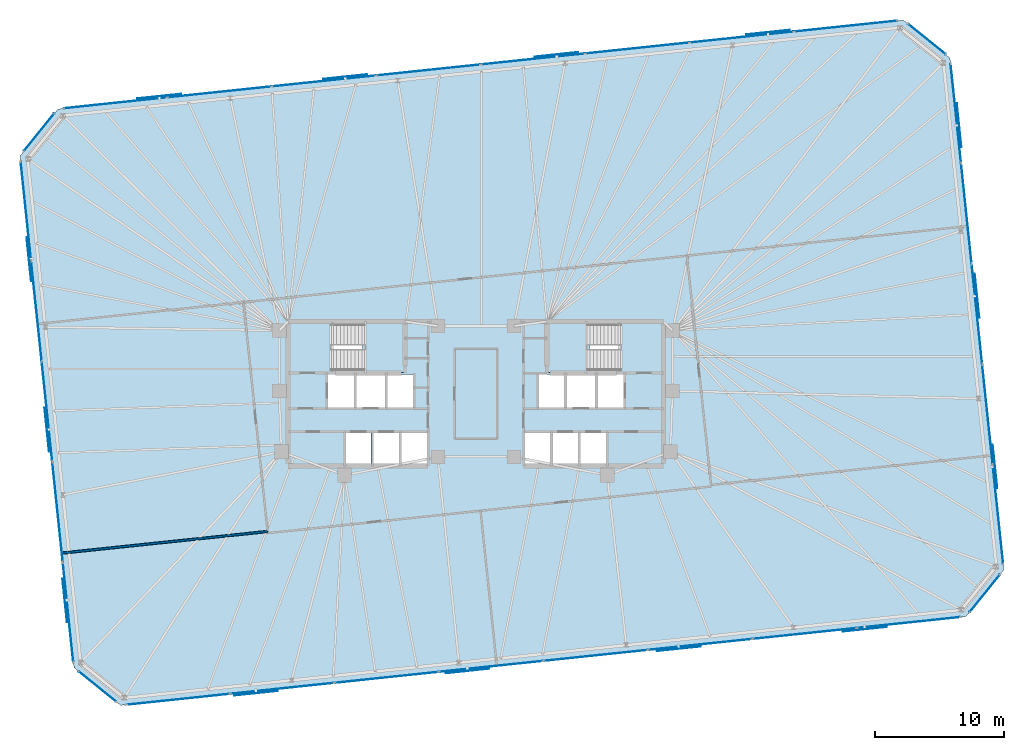
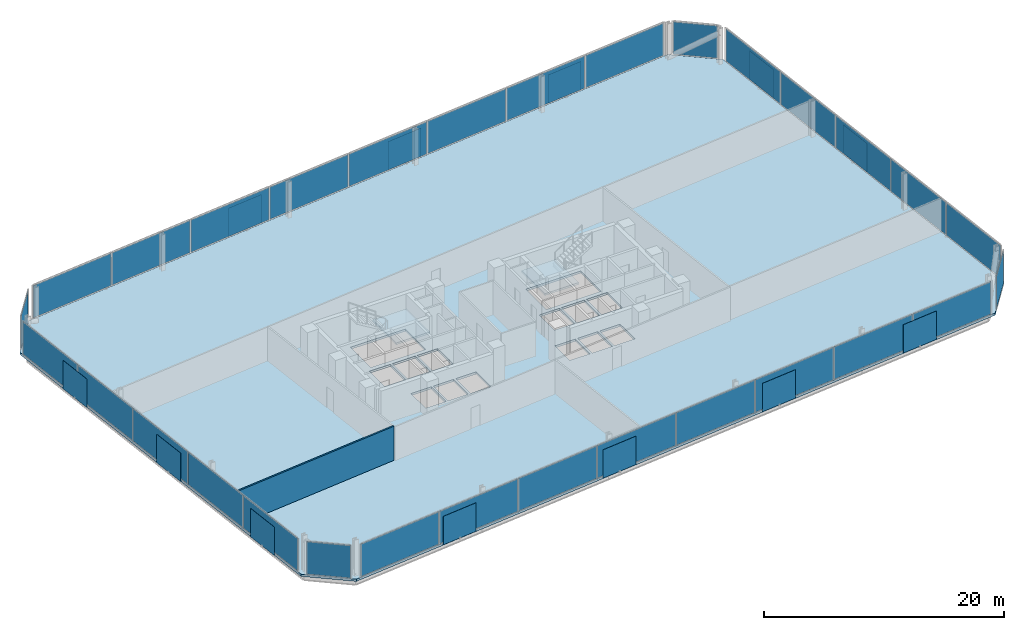
# One storey, part 13 of 17: 44 plates, 3 slabs, 1 wall, 10 elements without a shape of their own.
"""IFC4 building model written with IfcOpenShell, lengths in metres."""

from ifc_helpers import new_model, si_unit, direction, frame, frame_2d, origin, origin_2d, place, context, subcontext, project, spatial, polyline, rectangle, outline, extrude, material, layer, layer_set, type_object, element, aggregate, save


model = new_model("IFC4")

# Units and contexts
model_context = context("Model", 3, precision=1e-05, world=origin(), true_north=direction((0.0, 1.0)))
body_context = subcontext(model_context, "Body", "Model", "MODEL_VIEW")
ifc_project = project(units=[si_unit("LENGTHUNIT", "METRE"), si_unit("AREAUNIT", "SQUARE_METRE"), si_unit("VOLUMEUNIT", "CUBIC_METRE"), si_unit("PLANEANGLEUNIT", "RADIAN"), si_unit("MASSUNIT", "GRAM", prefix="KILO")], contexts=[model_context])

# Site, building, storey
site_placement = place(None, origin())
site = spatial("IfcSite", under=ifc_project, at=site_placement, CompositionType="ELEMENT")
building_placement = place(site_placement, origin())
building = spatial("IfcBuilding", under=site, at=building_placement, Name="Menara Jurai Vektor", CompositionType="ELEMENT")
storey_placement = place(building_placement, frame((0.0, 0.0, 131.800048828125)))
storey = spatial("IfcBuildingStorey", under=building, at=storey_placement, Name="L33", CompositionType="ELEMENT", Elevation=131.800048828125)

# Curtain wall, plates
ifc_material_1 = material(Name="Anodised Pale Aluminium & Low-E Double Glazing", Category="aluminium")
curtain_wall_type = type_object("IfcCurtainWallType", Name="CW-BLK2", PredefinedType="NOTDEFINED", material=ifc_material_1)
curtain_wall_1_placement = place(storey_placement, origin())
curtain_wall_1 = element("IfcCurtainWall", 1, at=curtain_wall_1_placement, inside=storey, type_object=curtain_wall_type, Name="Unitised Curtain Wall L33 F01", PredefinedType="NOTDEFINED")
ifc_material_2 = material(Name="Low-E Solar-Control Double Glazed Unit", Category="glass")
ifc_layer_1 = layer(ifc_material_2, 0.033935546875)
ifc_layer_set_1 = layer_set([ifc_layer_1], Name="Low-E Solar-Control Double Glazed Unit")
plate_type_1 = type_object("IfcPlateType", Name="CW-BLK2-PNL", PredefinedType="CURTAIN_PANEL", material=ifc_layer_set_1)
plate_1_placement = place(storey_placement, frame((-23.090087890625, -23.69921875, 0.090087890625), z_axis=(0.0, 0.0, 1.0), x_axis=(0.994521877325, 0.104528634935, 0.0)))
plate_1 = element("IfcPlate", 2, at=plate_1_placement, type_object=plate_type_1, Name="CW-02 panel 1.1", PredefinedType="CURTAIN_PANEL", context=body_context, shape_type="SweptSolid", body=[
    extrude(rectangle(XDim=8.007568359375, YDim=0.033935546875, at=origin_2d()), origin(), (0.0, 0.0, 1.0), 3.294921875),
])
plate_2_placement = place(storey_placement, frame((-15.014404296875, -22.850341796875, 0.090087890625), z_axis=(0.0, 0.0, 1.0), x_axis=(0.994521877325, 0.104528634935, 0.0)))
plate_2 = element("IfcPlate", 3, at=plate_2_placement, type_object=plate_type_1, Name="CW-02 panel 2.1", PredefinedType="CURTAIN_PANEL", context=body_context, shape_type="SweptSolid", body=[
    extrude(rectangle(XDim=8.052490234375, YDim=0.033935546875, at=origin_2d()), origin(), (0.0, 0.0, 1.0), 3.294921875),
])
plate_3_placement = place(storey_placement, frame((-6.91650390625, -21.999267578125, 0.090087890625), z_axis=(0.0, 0.0, 1.0), x_axis=(0.994521877325, 0.104528634935, 0.0)))
plate_3 = element("IfcPlate", 4, at=plate_3_placement, type_object=plate_type_1, Name="CW-02 panel 3.1", PredefinedType="CURTAIN_PANEL", context=body_context, shape_type="SweptSolid", body=[
    extrude(rectangle(XDim=8.052490234375, YDim=0.033935546875, at=origin_2d()), origin(), (0.0, 0.0, 1.0), 3.294921875),
])
plate_4_placement = place(storey_placement, frame((1.181396484375, -21.148193359375, 0.090087890625), z_axis=(0.0, 0.0, 1.0), x_axis=(0.994521877325, 0.104528634935, 0.0)))
plate_4 = element("IfcPlate", 5, at=plate_4_placement, type_object=plate_type_1, Name="CW-02 panel 4.1", PredefinedType="CURTAIN_PANEL", context=body_context, shape_type="SweptSolid", body=[
    extrude(rectangle(XDim=8.052490234375, YDim=0.033935546875, at=origin_2d()), origin(), (0.0, 0.0, 1.0), 3.294921875),
])
plate_5_placement = place(storey_placement, frame((9.279296875, -20.297119140625, 0.090087890625), z_axis=(0.0, 0.0, 1.0), x_axis=(0.994521877325, 0.104528634935, 0.0)))
plate_5 = element("IfcPlate", 6, at=plate_5_placement, type_object=plate_type_1, Name="CW-02 panel 5.1", PredefinedType="CURTAIN_PANEL", context=body_context, shape_type="SweptSolid", body=[
    extrude(rectangle(XDim=8.052490234375, YDim=0.033935546875, at=origin_2d()), origin(), (0.0, 0.0, 1.0), 3.294921875),
])
plate_6_placement = place(storey_placement, frame((17.377197265625, -19.44580078125, 0.090087890625), z_axis=(0.0, 0.0, 1.0), x_axis=(0.994521877325, 0.104528634935, 0.0)))
plate_6 = element("IfcPlate", 7, at=plate_6_placement, type_object=plate_type_1, Name="CW-02 panel 6.1", PredefinedType="CURTAIN_PANEL", context=body_context, shape_type="SweptSolid", body=[
    extrude(rectangle(XDim=8.052490234375, YDim=0.033935546875, at=origin_2d()), origin(), (0.0, 0.0, 1.0), 3.294921875),
])
plate_7_placement = place(storey_placement, frame((25.47509765625, -18.5947265625, 0.090087890625), z_axis=(0.0, 0.0, 1.0), x_axis=(0.994521877325, 0.104528634935, 0.0)))
plate_7 = element("IfcPlate", 8, at=plate_7_placement, type_object=plate_type_1, Name="CW-02 panel 7.1", PredefinedType="CURTAIN_PANEL", context=body_context, shape_type="SweptSolid", body=[
    extrude(rectangle(XDim=8.052490234375, YDim=0.033935546875, at=origin_2d()), origin(), (0.0, 0.0, 1.0), 3.294921875),
])
plate_8_placement = place(storey_placement, frame((33.550537109375, -17.74609375, 0.090087890625), z_axis=(0.0, 0.0, 1.0), x_axis=(0.994521877325, 0.104528634935, 0.0)))
plate_8 = element("IfcPlate", 9, at=plate_8_placement, type_object=plate_type_1, Name="CW-02 panel 8.1", PredefinedType="CURTAIN_PANEL", context=body_context, shape_type="SweptSolid", body=[
    extrude(rectangle(XDim=8.007568359375, YDim=0.033935546875, at=origin_2d()), origin(), (0.0, 0.0, 1.0), 3.294921875),
])
aggregate(curtain_wall_1, [plate_1, plate_2, plate_3, plate_4, plate_5, plate_6, plate_7, plate_8])

curtain_wall_2_placement = place(storey_placement, origin())
curtain_wall_2 = element("IfcCurtainWall", 10, at=curtain_wall_2_placement, inside=storey, type_object=curtain_wall_type, Name="Unitised Curtain Wall L33 F03", PredefinedType="NOTDEFINED")
plate_9_placement = place(storey_placement, frame((40.485595703125, -9.358642578125, 0.090087890625), z_axis=(0.0, 0.0, 1.0), x_axis=(-0.104529576902, 0.99452177832, 0.0)))
plate_9 = element("IfcPlate", 11, at=plate_9_placement, type_object=plate_type_1, Name="CW-02 panel 1.1", PredefinedType="CURTAIN_PANEL", context=body_context, shape_type="SweptSolid", body=[
    extrude(rectangle(XDim=7.693115234375, YDim=0.033935546875, at=origin_2d()), origin(), (0.0, 0.0, 1.0), 3.294921875),
])
plate_10_placement = place(storey_placement, frame((39.669677734375, -1.595947265625, 0.090087890625), z_axis=(0.0, 0.0, 1.0), x_axis=(-0.104529576902, 0.99452177832, 0.0)))
plate_10 = element("IfcPlate", 12, at=plate_10_placement, type_object=plate_type_1, Name="CW-02 panel 2.1", PredefinedType="CURTAIN_PANEL", context=body_context, shape_type="SweptSolid", body=[
    extrude(rectangle(XDim=7.738037109375, YDim=0.033935546875, at=origin_2d()), origin(), (0.0, 0.0, 1.0), 3.294921875),
])
plate_11_placement = place(storey_placement, frame((38.8515625, 6.189208984375, 0.090087890625), z_axis=(0.0, 0.0, 1.0), x_axis=(-0.104529576902, 0.99452177832, 0.0)))
plate_11 = element("IfcPlate", 13, at=plate_11_placement, type_object=plate_type_1, Name="CW-02 panel 3.1", PredefinedType="CURTAIN_PANEL", context=body_context, shape_type="SweptSolid", body=[
    extrude(rectangle(XDim=7.738037109375, YDim=0.033935546875, at=origin_2d()), origin(), (0.0, 0.0, 1.0), 3.294921875),
])
plate_12_placement = place(storey_placement, frame((38.033203125, 13.974365234375, 0.090087890625), z_axis=(0.0, 0.0, 1.0), x_axis=(-0.104529576902, 0.99452177832, 0.0)))
plate_12 = element("IfcPlate", 14, at=plate_12_placement, type_object=plate_type_1, Name="CW-02 panel 4.1", PredefinedType="CURTAIN_PANEL", context=body_context, shape_type="SweptSolid", body=[
    extrude(rectangle(XDim=7.738037109375, YDim=0.033935546875, at=origin_2d()), origin(), (0.0, 0.0, 1.0), 3.294921875),
])
plate_13_placement = place(storey_placement, frame((37.21728515625, 21.737060546875, 0.090087890625), z_axis=(0.0, 0.0, 1.0), x_axis=(-0.104529576902, 0.99452177832, 0.0)))
plate_13 = element("IfcPlate", 15, at=plate_13_placement, type_object=plate_type_1, Name="CW-02 panel 5.1", PredefinedType="CURTAIN_PANEL", context=body_context, shape_type="SweptSolid", body=[
    extrude(rectangle(XDim=7.693115234375, YDim=0.033935546875, at=origin_2d()), origin(), (0.0, 0.0, 1.0), 3.294921875),
])
aggregate(curtain_wall_2, [plate_9, plate_10, plate_11, plate_12, plate_13])

curtain_wall_3_placement = place(storey_placement, origin())
curtain_wall_3 = element("IfcCurtainWall", 16, at=curtain_wall_3_placement, inside=storey, type_object=curtain_wall_type, Name="Unitised Curtain Wall L33 F05", PredefinedType="NOTDEFINED")
plate_14_placement = place(storey_placement, frame((28.68994140625, 28.499267578125, 0.090087890625), z_axis=(0.0, 0.0, 1.0), x_axis=(-0.994521877325, -0.104528634935, 0.0)))
plate_14 = element("IfcPlate", 17, at=plate_14_placement, type_object=plate_type_1, Name="CW-02 panel 1.1", PredefinedType="CURTAIN_PANEL", context=body_context, shape_type="SweptSolid", body=[
    extrude(rectangle(XDim=8.007568359375, YDim=0.033935546875, at=origin_2d()), origin(), (0.0, 0.0, 1.0), 3.294921875),
])
plate_15_placement = place(storey_placement, frame((20.614501953125, 27.650390625, 0.090087890625), z_axis=(0.0, 0.0, 1.0), x_axis=(-0.994521877325, -0.104528634935, 0.0)))
plate_15 = element("IfcPlate", 18, at=plate_15_placement, type_object=plate_type_1, Name="CW-02 panel 2.1", PredefinedType="CURTAIN_PANEL", context=body_context, shape_type="SweptSolid", body=[
    extrude(rectangle(XDim=8.052490234375, YDim=0.033935546875, at=origin_2d()), origin(), (0.0, 0.0, 1.0), 3.294921875),
])
plate_16_placement = place(storey_placement, frame((12.5166015625, 26.79931640625, 0.090087890625), z_axis=(0.0, 0.0, 1.0), x_axis=(-0.994521877325, -0.104528634935, 0.0)))
plate_16 = element("IfcPlate", 19, at=plate_16_placement, type_object=plate_type_1, Name="CW-02 panel 3.1", PredefinedType="CURTAIN_PANEL", context=body_context, shape_type="SweptSolid", body=[
    extrude(rectangle(XDim=8.052490234375, YDim=0.033935546875, at=origin_2d()), origin(), (0.0, 0.0, 1.0), 3.294921875),
])
plate_17_placement = place(storey_placement, frame((4.418701171875, 25.9482421875, 0.090087890625), z_axis=(0.0, 0.0, 1.0), x_axis=(-0.994521877325, -0.104528634935, 0.0)))
plate_17 = element("IfcPlate", 20, at=plate_17_placement, type_object=plate_type_1, Name="CW-02 panel 4.1", PredefinedType="CURTAIN_PANEL", context=body_context, shape_type="SweptSolid", body=[
    extrude(rectangle(XDim=8.052490234375, YDim=0.033935546875, at=origin_2d()), origin(), (0.0, 0.0, 1.0), 3.294921875),
])
plate_18_placement = place(storey_placement, frame((-3.67919921875, 25.096923828125, 0.090087890625), z_axis=(0.0, 0.0, 1.0), x_axis=(-0.994521877325, -0.104528634935, 0.0)))
plate_18 = element("IfcPlate", 21, at=plate_18_placement, type_object=plate_type_1, Name="CW-02 panel 5.1", PredefinedType="CURTAIN_PANEL", context=body_context, shape_type="SweptSolid", body=[
    extrude(rectangle(XDim=8.052490234375, YDim=0.033935546875, at=origin_2d()), origin(), (0.0, 0.0, 1.0), 3.294921875),
])
plate_19_placement = place(storey_placement, frame((-11.777099609375, 24.245849609375, 0.090087890625), z_axis=(0.0, 0.0, 1.0), x_axis=(-0.994521877325, -0.104528634935, 0.0)))
plate_19 = element("IfcPlate", 22, at=plate_19_placement, type_object=plate_type_1, Name="CW-02 panel 6.1", PredefinedType="CURTAIN_PANEL", context=body_context, shape_type="SweptSolid", body=[
    extrude(rectangle(XDim=8.052490234375, YDim=0.033935546875, at=origin_2d()), origin(), (0.0, 0.0, 1.0), 3.294921875),
])
plate_20_placement = place(storey_placement, frame((-19.875, 23.394775390625, 0.090087890625), z_axis=(0.0, 0.0, 1.0), x_axis=(-0.994521877325, -0.104528634935, 0.0)))
plate_20 = element("IfcPlate", 23, at=plate_20_placement, type_object=plate_type_1, Name="CW-02 panel 7.1", PredefinedType="CURTAIN_PANEL", context=body_context, shape_type="SweptSolid", body=[
    extrude(rectangle(XDim=8.052490234375, YDim=0.033935546875, at=origin_2d()), origin(), (0.0, 0.0, 1.0), 3.294921875),
])
plate_21_placement = place(storey_placement, frame((-27.95068359375, 22.5458984375, 0.090087890625), z_axis=(0.0, 0.0, 1.0), x_axis=(-0.994521877325, -0.104528634935, 0.0)))
plate_21 = element("IfcPlate", 24, at=plate_21_placement, type_object=plate_type_1, Name="CW-02 panel 8.1", PredefinedType="CURTAIN_PANEL", context=body_context, shape_type="SweptSolid", body=[
    extrude(rectangle(XDim=8.007568359375, YDim=0.033935546875, at=origin_2d()), origin(), (0.0, 0.0, 1.0), 3.294921875),
])
aggregate(curtain_wall_3, [plate_14, plate_15, plate_16, plate_17, plate_18, plate_19, plate_20, plate_21])

curtain_wall_4_placement = place(storey_placement, origin())
curtain_wall_4 = element("IfcCurtainWall", 25, at=curtain_wall_4_placement, inside=storey, type_object=curtain_wall_type, Name="Unitised Curtain Wall L33 F07", PredefinedType="NOTDEFINED")
plate_22_placement = place(storey_placement, frame((-34.885498046875, 14.15869140625, 0.090087890625), z_axis=(0.0, 0.0, 1.0), x_axis=(0.104529576902, -0.99452177832, 0.0)))
plate_22 = element("IfcPlate", 26, at=plate_22_placement, type_object=plate_type_1, Name="CW-02 panel 1.1", PredefinedType="CURTAIN_PANEL", context=body_context, shape_type="SweptSolid", body=[
    extrude(rectangle(XDim=7.693115234375, YDim=0.033935546875, at=origin_2d()), origin(), (0.0, 0.0, 1.0), 3.294921875),
])
plate_23_placement = place(storey_placement, frame((-34.06982421875, 6.39599609375, 0.090087890625), z_axis=(0.0, 0.0, 1.0), x_axis=(0.104529576902, -0.99452177832, 0.0)))
plate_23 = element("IfcPlate", 27, at=plate_23_placement, type_object=plate_type_1, Name="CW-02 panel 2.1", PredefinedType="CURTAIN_PANEL", context=body_context, shape_type="SweptSolid", body=[
    extrude(rectangle(XDim=7.738037109375, YDim=0.033935546875, at=origin_2d()), origin(), (0.0, 0.0, 1.0), 3.294921875),
])
plate_24_placement = place(storey_placement, frame((-33.25146484375, -1.38916015625, 0.090087890625), z_axis=(0.0, 0.0, 1.0), x_axis=(0.104529576902, -0.99452177832, 0.0)))
plate_24 = element("IfcPlate", 28, at=plate_24_placement, type_object=plate_type_1, Name="CW-02 panel 3.1", PredefinedType="CURTAIN_PANEL", context=body_context, shape_type="SweptSolid", body=[
    extrude(rectangle(XDim=7.738037109375, YDim=0.033935546875, at=origin_2d()), origin(), (0.0, 0.0, 1.0), 3.294921875),
])
plate_25_placement = place(storey_placement, frame((-32.43310546875, -9.17431640625, 0.090087890625), z_axis=(0.0, 0.0, 1.0), x_axis=(0.104529576902, -0.99452177832, 0.0)))
plate_25 = element("IfcPlate", 29, at=plate_25_placement, type_object=plate_type_1, Name="CW-02 panel 4.1", PredefinedType="CURTAIN_PANEL", context=body_context, shape_type="SweptSolid", body=[
    extrude(rectangle(XDim=7.738037109375, YDim=0.033935546875, at=origin_2d()), origin(), (0.0, 0.0, 1.0), 3.294921875),
])
plate_26_placement = place(storey_placement, frame((-31.6171875, -16.93701171875, 0.090087890625), z_axis=(0.0, 0.0, 1.0), x_axis=(0.104529576902, -0.99452177832, 0.0)))
plate_26 = element("IfcPlate", 30, at=plate_26_placement, type_object=plate_type_1, Name="CW-02 panel 5.1", PredefinedType="CURTAIN_PANEL", context=body_context, shape_type="SweptSolid", body=[
    extrude(rectangle(XDim=7.693115234375, YDim=0.033935546875, at=origin_2d()), origin(), (0.0, 0.0, 1.0), 3.294921875),
])
aggregate(curtain_wall_4, [plate_22, plate_23, plate_24, plate_25, plate_26])

# Curtain wall, plate
curtain_wall_5_placement = place(storey_placement, origin())
curtain_wall_5 = element("IfcCurtainWall", 31, at=curtain_wall_5_placement, inside=storey, type_object=curtain_wall_type, Name="Unitised Curtain Wall L33 F02", PredefinedType="NOTDEFINED")
ifc_material_3 = material(Name="Insulated Pale Aluminium Spandrel Panel", Category="aluminium")
ifc_layer_2 = layer(ifc_material_3, 0.06005859375)
ifc_layer_set_2 = layer_set([ifc_layer_2], Name="Insulated Pale Aluminium Spandrel Panel")
plate_type_2 = type_object("IfcPlateType", Name="CW-PNL-SP", PredefinedType="CURTAIN_PANEL", material=ifc_layer_set_2)
plate_27_placement = place(storey_placement, frame((39.46826171875, -15.465087890625, 0.090087890625), z_axis=(0.0, 0.0, 1.0), x_axis=(0.62934106172, 0.777129222223, 0.0)))
plate_27 = element("IfcPlate", 32, at=plate_27_placement, type_object=plate_type_2, Name="CW-02 panel 1.1", PredefinedType="CURTAIN_PANEL", context=body_context, shape_type="SweptSolid", body=[
    extrude(rectangle(XDim=3.72705078125, YDim=0.06005859375, at=origin_2d()), origin(), (0.0, 0.0, 1.0), 3.294921875),
])
aggregate(curtain_wall_5, [plate_27])

curtain_wall_6_placement = place(storey_placement, origin())
curtain_wall_6 = element("IfcCurtainWall", 33, at=curtain_wall_6_placement, inside=storey, type_object=curtain_wall_type, Name="Unitised Curtain Wall L33 F04", PredefinedType="NOTDEFINED")
plate_28_placement = place(storey_placement, frame((34.95263671875, 27.498291015625, 0.090087890625), z_axis=(0.0, 0.0, 1.0), x_axis=(-0.777151877437, 0.629313085353, 0.0)))
plate_28 = element("IfcPlate", 34, at=plate_28_placement, type_object=plate_type_2, Name="CW-02 panel 1.1", PredefinedType="CURTAIN_PANEL", context=body_context, shape_type="SweptSolid", body=[
    extrude(rectangle(XDim=3.72705078125, YDim=0.06005859375, at=origin_2d()), origin(), (0.0, 0.0, 1.0), 3.294921875),
])
aggregate(curtain_wall_6, [plate_28])

curtain_wall_7_placement = place(storey_placement, origin())
curtain_wall_7 = element("IfcCurtainWall", 35, at=curtain_wall_7_placement, inside=storey, type_object=curtain_wall_type, Name="Unitised Curtain Wall L33 F06", PredefinedType="NOTDEFINED")
plate_29_placement = place(storey_placement, frame((-33.868408203125, 20.264892578125, 0.090087890625), z_axis=(0.0, 0.0, 1.0), x_axis=(-0.62934106172, -0.777129222223, 0.0)))
plate_29 = element("IfcPlate", 36, at=plate_29_placement, type_object=plate_type_2, Name="CW-02 panel 1.1", PredefinedType="CURTAIN_PANEL", context=body_context, shape_type="SweptSolid", body=[
    extrude(rectangle(XDim=3.72705078125, YDim=0.06005859375, at=origin_2d()), origin(), (0.0, 0.0, 1.0), 3.294921875),
])
aggregate(curtain_wall_7, [plate_29])

curtain_wall_8_placement = place(storey_placement, origin())
curtain_wall_8 = element("IfcCurtainWall", 37, at=curtain_wall_8_placement, inside=storey, type_object=curtain_wall_type, Name="Unitised Curtain Wall L33 F08", PredefinedType="NOTDEFINED")
plate_30_placement = place(storey_placement, frame((-29.3525390625, -22.6982421875, 0.090087890625), z_axis=(0.0, 0.0, 1.0), x_axis=(0.777151877437, -0.629313085353, 0.0)))
plate_30 = element("IfcPlate", 38, at=plate_30_placement, type_object=plate_type_2, Name="CW-02 panel 1.1", PredefinedType="CURTAIN_PANEL", context=body_context, shape_type="SweptSolid", body=[
    extrude(rectangle(XDim=3.72705078125, YDim=0.06005859375, at=origin_2d()), origin(), (0.0, 0.0, 1.0), 3.294921875),
])
aggregate(curtain_wall_8, [plate_30])

# Plates
ifc_material_4 = material(Name="Anodised Pale Aluminium Perforated Screen", Category="aluminium")
ifc_layer_3 = layer(ifc_material_4, 0.02392578125)
ifc_layer_set_3 = layer_set([ifc_layer_3], Name="Anodised Pale Aluminium Perforated Screen")
plate_type_3 = type_object("IfcPlateType", Name="ENV-PLT-SCREEN", PredefinedType="USERDEFINED", material=ifc_layer_set_3)
for number, where, z_axis, x_axis, name in (
    (39, (-17.0361328125, -23.223876953125, -0.050048828125), (0.0, 0.0, 1.0), (0.994521895368, 0.104528463268, 0.0), "Perforated Pale-Metal Solar Screen L33-S01"),
    (40, (-0.651611328125, -21.501708984375, -0.050048828125), (0.0, 0.0, 1.0), (0.994521895368, 0.104528463268, 0.0), "Perforated Pale-Metal Solar Screen L33-S02"),
    (41, (15.7333984375, -19.779541015625, -0.050048828125), (0.0, 0.0, 1.0), (0.994521895368, 0.104528463268, 0.0), "Perforated Pale-Metal Solar Screen L33-S03"),
    (42, (30.15185546875, -18.26416015625, -0.050048828125), (0.0, 0.0, 1.0), (0.994521895368, 0.104528463268, 0.0), "Perforated Pale-Metal Solar Screen L33-S04"),
    (43, (40.2548828125, -5.63232421875, -0.050048828125), (0.0, 0.0, 1.0), (-0.104528463268, 0.994521895368, 0.0), "Perforated Pale-Metal Solar Screen L33-S05"),
    (44, (38.864501953125, 7.5947265625, -0.050048828125), (0.0, 0.0, 1.0), (-0.104528463268, 0.994521895368, 0.0), "Perforated Pale-Metal Solar Screen L33-S06"),
    (45, (37.474365234375, 20.822021484375, -0.050048828125), (0.0, 0.0, 1.0), (-0.104528463268, 0.994521895368, 0.0), "Perforated Pale-Metal Solar Screen L33-S07"),
    (46, (22.63623046875, 28.023681640625, -0.050048828125), (0.0, 0.0, 1.0), (-0.994521895368, -0.104528463268, 0.0), "Perforated Pale-Metal Solar Screen L33-S08"),
    (47, (6.25146484375, 26.3017578125, -0.050048828125), (0.0, 0.0, 1.0), (-0.994521895368, -0.104528463268, 0.0), "Perforated Pale-Metal Solar Screen L33-S09"),
    (48, (-10.13330078125, 24.57958984375, -0.050048828125), (0.0, 0.0, 1.0), (-0.994521895368, -0.104528463268, 0.0), "Perforated Pale-Metal Solar Screen L33-S10"),
    (49, (-24.5517578125, 23.064208984375, -0.050048828125), (0.0, 0.0, 1.0), (-0.994521895368, -0.104528463268, 0.0), "Perforated Pale-Metal Solar Screen L33-S11"),
    (50, (-34.65478515625, 10.432373046875, -0.050048828125), (0.0, 0.0, 1.0), (0.104528463268, -0.994521895368, 0.0), "Perforated Pale-Metal Solar Screen L33-S12"),
    (51, (-33.2646484375, -2.794677734375, -0.050048828125), (0.0, 0.0, 1.0), (0.104528463268, -0.994521895368, 0.0), "Perforated Pale-Metal Solar Screen L33-S13"),
    (52, (-31.87451171875, -16.02197265625, -0.050048828125), (0.0, 0.0, 1.0), (0.104528463268, -0.994521895368, 0.0), "Perforated Pale-Metal Solar Screen L33-S14"),
):
    element("IfcPlate", number, at=place(storey_placement, frame(where, z_axis=z_axis, x_axis=x_axis)), inside=storey, type_object=plate_type_3, Name=name, ObjectType="SCREEN", PredefinedType="USERDEFINED", context=body_context, shape_type="SweptSolid", body=[
        extrude(rectangle(XDim=3.39990234375, YDim=0.02392578125, at=origin_2d()), origin(), (0.0, 0.0, 1.0), 2.89990234375),
    ])

# Stair, slab
ifc_material_5 = material(Name="Concrete C40/50", Category="concrete")
stair_type = type_object("IfcStairType", Name="STAIR-DOGLEG-1500", PredefinedType="HALF_TURN_STAIR", material=ifc_material_5)
stair_1_placement = place(storey_placement, origin())
stair_1 = element("IfcStair", 53, at=stair_1_placement, inside=storey, type_object=stair_type, Name="Protected Exit Stair ST1 L33", PredefinedType="HALF_TURN_STAIR")
ifc_layer_4 = layer(ifc_material_5, 0.199951171875)
ifc_layer_set_4 = layer_set([ifc_layer_4], Name="Concrete C40/50")
slab_type_1 = type_object("IfcSlabType", Name="STAIR-LANDING-200", PredefinedType="LANDING", material=ifc_layer_set_4)
slab_1_placement = place(storey_placement, frame((0.0, 0.0, 1.64990234375)))
slab_1 = element("IfcSlab", 54, at=slab_1_placement, type_object=slab_type_1, Name="ST1 landing 1", PredefinedType="LANDING", context=body_context, shape_type="SweptSolid", body=[
    extrude(outline(polyline([(-8.800048828125, 1.64990234375), (-5.550048828125, 1.64990234375), (-5.550048828125, 5.550048828125), (-8.800048828125, 5.550048828125), (-8.800048828125, 1.64990234375)])), origin(), (0.0, 0.0, 1.0), 0.199951171875),
])
aggregate(stair_1, [slab_1])

stair_2_placement = place(storey_placement, origin())
stair_2 = element("IfcStair", 55, at=stair_2_placement, inside=storey, type_object=stair_type, Name="Protected Exit Stair ST2 L33", PredefinedType="HALF_TURN_STAIR")
slab_2_placement = place(storey_placement, frame((0.0, 0.0, 1.64990234375)))
slab_2 = element("IfcSlab", 56, at=slab_2_placement, type_object=slab_type_1, Name="ST2 landing 1", PredefinedType="LANDING", context=body_context, shape_type="SweptSolid", body=[
    extrude(outline(polyline([(5.550048828125, 1.64990234375), (8.800048828125, 1.64990234375), (8.800048828125, 5.550048828125), (5.550048828125, 5.550048828125), (5.550048828125, 1.64990234375)])), origin(), (0.0, 0.0, 1.0), 0.199951171875),
])
aggregate(stair_2, [slab_2])

# Slab
ifc_layer_5 = layer(ifc_material_5, 0.22509765625)
ifc_layer_set_5 = layer_set([ifc_layer_5], Name="Concrete C40/50")
slab_type_2 = type_object("IfcSlabType", Name="STR-SLAB-TYP200", PredefinedType="FLOOR", material=ifc_layer_set_5)
slab_3_placement = place(storey_placement, frame((0.0, 0.0, -0.22509765625)))
element("IfcSlab", 57, at=slab_3_placement, inside=storey, type_object=slab_type_2, Name="Composite Floor Slab L33", PredefinedType="FLOOR", context=body_context, shape_type="SweptSolid", body=[
    extrude(outline(polyline([(-27.539306640625, -24.166748046875), (37.999755859375, -17.2783203125), (40.936767578125, -13.651611328125), (36.76611328125, 26.02978515625), (33.13916015625, 28.966796875), (-32.39990234375, 22.078369140625), (-35.3369140625, 18.45166015625), (-31.166015625, -21.22998046875), (-27.539306640625, -24.166748046875)]), holes=[polyline([(-11.10009765625, 1.89990234375), (-11.10009765625, 5.300048828125), (-5.800048828125, 5.300048828125), (-5.800048828125, 1.89990234375), (-11.10009765625, 1.89990234375)]), polyline([(5.800048828125, 1.89990234375), (5.800048828125, 5.300048828125), (11.10009765625, 5.300048828125), (11.10009765625, 1.89990234375), (5.800048828125, 1.89990234375)]), polyline([(-11.449951171875, -1.050048828125), (-11.449951171875, 1.5), (-9.449951171875, 1.5), (-9.449951171875, -1.050048828125), (-11.449951171875, -1.050048828125)]), polyline([(9.449951171875, -1.050048828125), (9.449951171875, 1.5), (11.449951171875, 1.5), (11.449951171875, -1.050048828125), (9.449951171875, -1.050048828125)]), polyline([(-5.760009765625, -5.5), (-5.760009765625, -3.050048828125), (-3.800048828125, -3.050048828125), (-3.800048828125, -5.5), (-5.760009765625, -5.5)]), polyline([(-6.85009765625, -1.050048828125), (-6.85009765625, 1.5), (-4.889892578125, 1.5), (-4.889892578125, -1.050048828125), (-6.85009765625, -1.050048828125)]), polyline([(3.800048828125, -5.5), (3.800048828125, -3.050048828125), (5.760009765625, -3.050048828125), (5.760009765625, -5.5), (3.800048828125, -5.5)]), polyline([(4.889892578125, -1.050048828125), (4.889892578125, 1.5), (6.85009765625, 1.5), (6.85009765625, -1.050048828125), (4.889892578125, -1.050048828125)]), polyline([(-10.080078125, -5.5), (-10.080078125, -3.050048828125), (-8.1201171875, -3.050048828125), (-8.1201171875, -5.5), (-10.080078125, -5.5)]), polyline([(-7.919921875, -5.5), (-7.919921875, -3.050048828125), (-5.9599609375, -3.050048828125), (-5.9599609375, -5.5), (-7.919921875, -5.5)]), polyline([(5.9599609375, -5.5), (5.9599609375, -3.050048828125), (7.919921875, -3.050048828125), (7.919921875, -5.5), (5.9599609375, -5.5)]), polyline([(8.1201171875, -5.5), (8.1201171875, -3.050048828125), (10.080078125, -3.050048828125), (10.080078125, -5.5), (8.1201171875, -5.5)]), polyline([(-9.25, -1.050048828125), (-9.25, 1.5), (-7.050048828125, 1.5), (-7.050048828125, -1.050048828125), (-9.25, -1.050048828125)]), polyline([(7.050048828125, -1.050048828125), (7.050048828125, 1.5), (9.25, 1.5), (9.25, -1.050048828125), (7.050048828125, -1.050048828125)])]), origin(), (0.0, 0.0, 1.0), 0.22509765625),
])

# Wall
ifc_material_6 = material(Name="Gypsum Fireboard Partition", Category="gypsum")
ifc_layer_6 = layer(ifc_material_6, 0.14990234375)
ifc_layer_set_6 = layer_set([ifc_layer_6], Name="Gypsum Fireboard Partition")
wall_type = type_object("IfcWallType", Name="INT-WALL-CORR-150", PredefinedType="PARTITIONING", material=ifc_layer_set_6)
wall_placement = place(storey_placement, frame((-32.0986328125, -12.357666015625, 0.0), z_axis=(0.0, 0.0, 1.0), x_axis=(0.994522794159, 0.104519911488, 0.0)))
element("IfcWall", 58, at=wall_placement, inside=storey, type_object=wall_type, Name="Interior Wall IW-150 L33", PredefinedType="PARTITIONING", context=body_context, shape_type="SweptSolid", body=[
    extrude(rectangle(XDim=16.033203125, YDim=0.14990234375, at=frame_2d((8.0166015625, 0.0))), origin(), (0.0, 0.0, 1.0), 3.474853515625),
])

save(model, "model.ifc")
